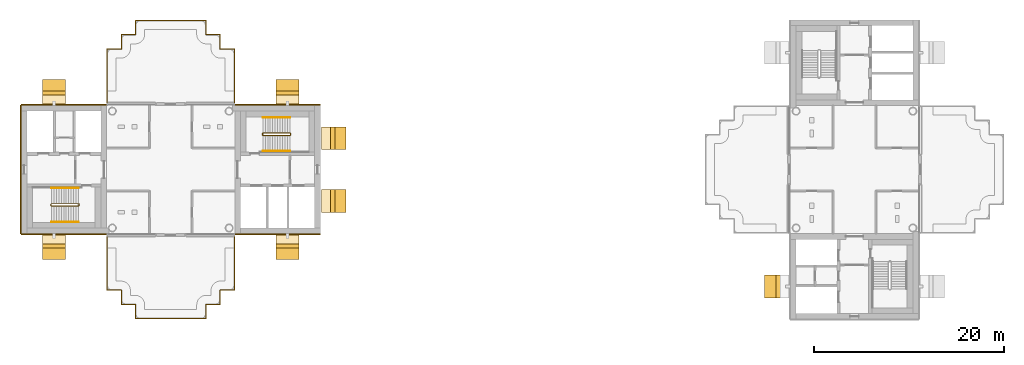
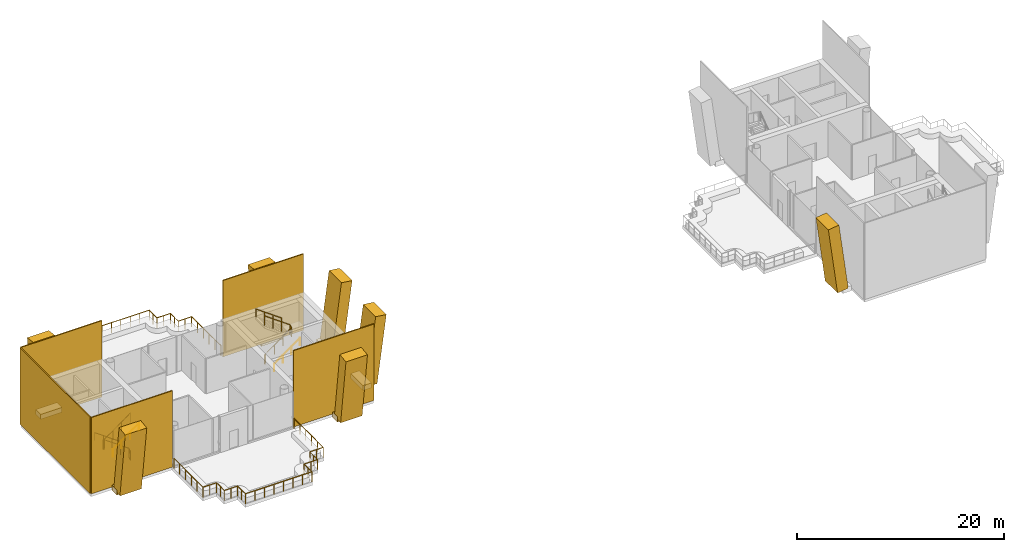
# One storey, part 15 of 17: 18 coverings, 8 railings.
"""IFC4 building model written with IfcOpenShell, lengths in metres."""

from ifc_helpers import new_model, si_unit, direction, frame, origin, origin_2d, place, context, subcontext, project, spatial, rectangle, circle, extrude, material, layer, layer_set, material_profile, profile_set, type_object, element, save


model = new_model("IFC4")

# Units and contexts
model_context = context("Model", 3, precision=1e-05, world=origin(), true_north=direction((0.0, 1.0)))
body_context = subcontext(model_context, "Body", "Model", "MODEL_VIEW")
ifc_project = project(units=[si_unit("LENGTHUNIT", "METRE"), si_unit("AREAUNIT", "SQUARE_METRE"), si_unit("VOLUMEUNIT", "CUBIC_METRE"), si_unit("PLANEANGLEUNIT", "RADIAN"), si_unit("MASSUNIT", "GRAM", prefix="KILO")], contexts=[model_context])

# Site, building, storey
site_placement = place(None, origin())
site = spatial("IfcSite", under=ifc_project, at=site_placement, CompositionType="ELEMENT")
building_placement = place(site_placement, origin())
building = spatial("IfcBuilding", under=site, at=building_placement, Name="Ipe Terrace Towers", CompositionType="ELEMENT")
storey_placement = place(building_placement, frame((0.0, 0.0, 246.89990234375)))
storey = spatial("IfcBuildingStorey", under=building, at=storey_placement, Name="L68", CompositionType="ELEMENT", Elevation=246.89990234375)

# Railings
ifc_material_1 = material(Name="Stainless steel S316", Category="steel")
railing_type_1 = type_object("IfcRailingType", Name="ROOF GUARD 1200", PredefinedType="BALUSTRADE", material=ifc_material_1)
railing_1_placement = place(storey_placement, frame((-42.699951171875, -7.070068359375, -0.02001953125)))
element("IfcRailing", 1, at=railing_1_placement, inside=storey, type_object=railing_type_1, Name="roof guard", PredefinedType="BALUSTRADE", context=body_context, shape_type="SweptSolid", body=[
    extrude(circle(Radius=0.02392578125, at=origin_2d()), frame((0.0, 0.0, 1.17578125), z_axis=(0.0, -1.0, 0.0), x_axis=(1.0, 0.0, 0.0)), (0.0, 0.0, 1.0), 5.6298828125),
    extrude(circle(Radius=0.02392578125, at=origin_2d()), frame((0.0, -5.6298828125, 1.17578125), z_axis=(1.0, 0.0, 0.0), x_axis=(0.0, 1.0, 0.0)), (0.0, 0.0, 1.0), 1.5),
    extrude(circle(Radius=0.02392578125, at=origin_2d()), frame((1.5, -5.6298828125, 1.17578125), z_axis=(0.0, -1.0, 0.0), x_axis=(1.0, 0.0, 0.0)), (0.0, 0.0, 1.0), 1.5),
    extrude(circle(Radius=0.02392578125, at=origin_2d()), frame((1.5, -7.1298828125, 1.17578125), z_axis=(1.0, 0.0, 0.0), x_axis=(0.0, 1.0, 0.0)), (0.0, 0.0, 1.0), 1.5),
    extrude(circle(Radius=0.02392578125, at=origin_2d()), frame((3.0, -7.1298828125, 1.17578125), z_axis=(0.0, -1.0, 0.0), x_axis=(1.0, 0.0, 0.0)), (0.0, 0.0, 1.0), 1.5),
    extrude(circle(Radius=0.02392578125, at=origin_2d()), frame((3.0, -8.6298828125, 1.17578125), z_axis=(1.0, 0.0, 0.0), x_axis=(0.0, 1.0, 0.0)), (0.0, 0.0, 1.0), 7.39990234375),
    extrude(circle(Radius=0.02392578125, at=origin_2d()), frame((10.39990234375, -8.6298828125, 1.17578125), z_axis=(0.0, 1.0, 0.0), x_axis=(-1.0, 0.0, 0.0)), (0.0, 0.0, 1.0), 1.5),
    extrude(circle(Radius=0.02392578125, at=origin_2d()), frame((10.39990234375, -7.1298828125, 1.17578125), z_axis=(1.0, 0.0, 0.0), x_axis=(0.0, 1.0, 0.0)), (0.0, 0.0, 1.0), 1.5),
    extrude(circle(Radius=0.02392578125, at=origin_2d()), frame((11.89990234375, -7.1298828125, 1.17578125), z_axis=(0.0, 1.0, 0.0), x_axis=(-1.0, 0.0, 0.0)), (0.0, 0.0, 1.0), 1.5),
    extrude(circle(Radius=0.02392578125, at=origin_2d()), frame((11.89990234375, -5.6298828125, 1.17578125), z_axis=(1.0, 0.0, 0.0), x_axis=(0.0, 1.0, 0.0)), (0.0, 0.0, 1.0), 1.5),
    extrude(circle(Radius=0.02392578125, at=origin_2d()), frame((13.39990234375, -5.6298828125, 1.17578125), z_axis=(0.0, 1.0, 0.0), x_axis=(-1.0, 0.0, 0.0)), (0.0, 0.0, 1.0), 5.6298828125),
    extrude(circle(Radius=0.02099609375, at=origin_2d()), origin(), (0.0, 0.0, 1.0), 1.15185546875),
    extrude(circle(Radius=0.02099609375, at=origin_2d()), frame((0.0, -1.1259765625, 0.0)), (0.0, 0.0, 1.0), 1.15185546875),
    extrude(circle(Radius=0.02099609375, at=origin_2d()), frame((0.0, -2.251953125, 0.0)), (0.0, 0.0, 1.0), 1.15185546875),
    extrude(circle(Radius=0.02099609375, at=origin_2d()), frame((0.0, -3.3779296875, 0.0)), (0.0, 0.0, 1.0), 1.15185546875),
    extrude(circle(Radius=0.02099609375, at=origin_2d()), frame((0.0, -4.50390625, 0.0)), (0.0, 0.0, 1.0), 1.15185546875),
    extrude(circle(Radius=0.02099609375, at=origin_2d()), frame((0.0, -5.6298828125, 0.0)), (0.0, 0.0, 1.0), 1.15185546875),
    extrude(circle(Radius=0.02099609375, at=origin_2d()), frame((0.75, -5.6298828125, 0.0)), (0.0, 0.0, 1.0), 1.15185546875),
    extrude(circle(Radius=0.02099609375, at=origin_2d()), frame((1.5, -5.6298828125, 0.0)), (0.0, 0.0, 1.0), 1.15185546875),
    extrude(circle(Radius=0.02099609375, at=origin_2d()), frame((1.5, -6.3798828125, 0.0)), (0.0, 0.0, 1.0), 1.15185546875),
    extrude(circle(Radius=0.02099609375, at=origin_2d()), frame((1.5, -7.1298828125, 0.0)), (0.0, 0.0, 1.0), 1.15185546875),
    extrude(circle(Radius=0.02099609375, at=origin_2d()), frame((2.25, -7.1298828125, 0.0)), (0.0, 0.0, 1.0), 1.15185546875),
    extrude(circle(Radius=0.02099609375, at=origin_2d()), frame((3.0, -7.1298828125, 0.0)), (0.0, 0.0, 1.0), 1.15185546875),
    extrude(circle(Radius=0.02099609375, at=origin_2d()), frame((3.0, -7.8798828125, 0.0)), (0.0, 0.0, 1.0), 1.15185546875),
    extrude(circle(Radius=0.02099609375, at=origin_2d()), frame((3.0, -8.6298828125, 0.0)), (0.0, 0.0, 1.0), 1.15185546875),
    extrude(circle(Radius=0.02099609375, at=origin_2d()), frame((4.05712890625, -8.6298828125, 0.0)), (0.0, 0.0, 1.0), 1.15185546875),
    extrude(circle(Radius=0.02099609375, at=origin_2d()), frame((5.1142578125, -8.6298828125, 0.0)), (0.0, 0.0, 1.0), 1.15185546875),
    extrude(circle(Radius=0.02099609375, at=origin_2d()), frame((6.17138671875, -8.6298828125, 0.0)), (0.0, 0.0, 1.0), 1.15185546875),
    extrude(circle(Radius=0.02099609375, at=origin_2d()), frame((7.228515625, -8.6298828125, 0.0)), (0.0, 0.0, 1.0), 1.15185546875),
    extrude(circle(Radius=0.02099609375, at=origin_2d()), frame((8.28564453125, -8.6298828125, 0.0)), (0.0, 0.0, 1.0), 1.15185546875),
    extrude(circle(Radius=0.02099609375, at=origin_2d()), frame((9.3427734375, -8.6298828125, 0.0)), (0.0, 0.0, 1.0), 1.15185546875),
    extrude(circle(Radius=0.02099609375, at=origin_2d()), frame((10.39990234375, -8.6298828125, 0.0)), (0.0, 0.0, 1.0), 1.15185546875),
    extrude(circle(Radius=0.02099609375, at=origin_2d()), frame((10.39990234375, -7.8798828125, 0.0)), (0.0, 0.0, 1.0), 1.15185546875),
    extrude(circle(Radius=0.02099609375, at=origin_2d()), frame((10.39990234375, -7.1298828125, 0.0)), (0.0, 0.0, 1.0), 1.15185546875),
    extrude(circle(Radius=0.02099609375, at=origin_2d()), frame((11.14990234375, -7.1298828125, 0.0)), (0.0, 0.0, 1.0), 1.15185546875),
    extrude(circle(Radius=0.02099609375, at=origin_2d()), frame((11.89990234375, -7.1298828125, 0.0)), (0.0, 0.0, 1.0), 1.15185546875),
    extrude(circle(Radius=0.02099609375, at=origin_2d()), frame((11.89990234375, -6.3798828125, 0.0)), (0.0, 0.0, 1.0), 1.15185546875),
    extrude(circle(Radius=0.02099609375, at=origin_2d()), frame((11.89990234375, -5.6298828125, 0.0)), (0.0, 0.0, 1.0), 1.15185546875),
    extrude(circle(Radius=0.02099609375, at=origin_2d()), frame((12.64990234375, -5.6298828125, 0.0)), (0.0, 0.0, 1.0), 1.15185546875),
    extrude(circle(Radius=0.02099609375, at=origin_2d()), frame((13.39990234375, -5.6298828125, 0.0)), (0.0, 0.0, 1.0), 1.15185546875),
    extrude(circle(Radius=0.02099609375, at=origin_2d()), frame((13.39990234375, -4.50390625, 0.0)), (0.0, 0.0, 1.0), 1.15185546875),
    extrude(circle(Radius=0.02099609375, at=origin_2d()), frame((13.39990234375, -3.3779296875, 0.0)), (0.0, 0.0, 1.0), 1.15185546875),
    extrude(circle(Radius=0.02099609375, at=origin_2d()), frame((13.39990234375, -2.251953125, 0.0)), (0.0, 0.0, 1.0), 1.15185546875),
    extrude(circle(Radius=0.02099609375, at=origin_2d()), frame((13.39990234375, -1.1259765625, 0.0)), (0.0, 0.0, 1.0), 1.15185546875),
    extrude(circle(Radius=0.02099609375, at=origin_2d()), frame((13.39990234375, 0.0, 0.0)), (0.0, 0.0, 1.0), 1.15185546875),
])
railing_2_placement = place(storey_placement, frame((-29.300048828125, 7.070068359375, -0.02001953125)))
element("IfcRailing", 2, at=railing_2_placement, inside=storey, type_object=railing_type_1, Name="roof guard", PredefinedType="BALUSTRADE", context=body_context, shape_type="SweptSolid", body=[
    extrude(circle(Radius=0.02392578125, at=origin_2d()), frame((0.0, 0.0, 1.17578125), z_axis=(0.0, 1.0, 0.0), x_axis=(-1.0, 0.0, 0.0)), (0.0, 0.0, 1.0), 5.6298828125),
    extrude(circle(Radius=0.02392578125, at=origin_2d()), frame((0.0, 5.6298828125, 1.17578125), z_axis=(-1.0, 0.0, 0.0), x_axis=(0.0, -1.0, 0.0)), (0.0, 0.0, 1.0), 1.5),
    extrude(circle(Radius=0.02392578125, at=origin_2d()), frame((-1.5, 5.6298828125, 1.17578125), z_axis=(0.0, 1.0, 0.0), x_axis=(-1.0, 0.0, 0.0)), (0.0, 0.0, 1.0), 1.5),
    extrude(circle(Radius=0.02392578125, at=origin_2d()), frame((-1.5, 7.1298828125, 1.17578125), z_axis=(-1.0, 0.0, 0.0), x_axis=(0.0, -1.0, 0.0)), (0.0, 0.0, 1.0), 1.5),
    extrude(circle(Radius=0.02392578125, at=origin_2d()), frame((-3.0, 7.1298828125, 1.17578125), z_axis=(0.0, 1.0, 0.0), x_axis=(-1.0, 0.0, 0.0)), (0.0, 0.0, 1.0), 1.5),
    extrude(circle(Radius=0.02392578125, at=origin_2d()), frame((-3.0, 8.6298828125, 1.17578125), z_axis=(-1.0, 0.0, 0.0), x_axis=(0.0, -1.0, 0.0)), (0.0, 0.0, 1.0), 7.39990234375),
    extrude(circle(Radius=0.02392578125, at=origin_2d()), frame((-10.39990234375, 8.6298828125, 1.17578125), z_axis=(0.0, -1.0, 0.0), x_axis=(1.0, 0.0, 0.0)), (0.0, 0.0, 1.0), 1.5),
    extrude(circle(Radius=0.02392578125, at=origin_2d()), frame((-10.39990234375, 7.1298828125, 1.17578125), z_axis=(-1.0, 0.0, 0.0), x_axis=(0.0, -1.0, 0.0)), (0.0, 0.0, 1.0), 1.5),
    extrude(circle(Radius=0.02392578125, at=origin_2d()), frame((-11.89990234375, 7.1298828125, 1.17578125), z_axis=(0.0, -1.0, 0.0), x_axis=(1.0, 0.0, 0.0)), (0.0, 0.0, 1.0), 1.5),
    extrude(circle(Radius=0.02392578125, at=origin_2d()), frame((-11.89990234375, 5.6298828125, 1.17578125), z_axis=(-1.0, 0.0, 0.0), x_axis=(0.0, -1.0, 0.0)), (0.0, 0.0, 1.0), 1.5),
    extrude(circle(Radius=0.02392578125, at=origin_2d()), frame((-13.39990234375, 5.6298828125, 1.17578125), z_axis=(0.0, -1.0, 0.0), x_axis=(1.0, 0.0, 0.0)), (0.0, 0.0, 1.0), 5.6298828125),
    extrude(circle(Radius=0.02099609375, at=origin_2d()), origin(), (0.0, 0.0, 1.0), 1.15185546875),
    extrude(circle(Radius=0.02099609375, at=origin_2d()), frame((0.0, 1.1259765625, 0.0)), (0.0, 0.0, 1.0), 1.15185546875),
    extrude(circle(Radius=0.02099609375, at=origin_2d()), frame((0.0, 2.251953125, 0.0)), (0.0, 0.0, 1.0), 1.15185546875),
    extrude(circle(Radius=0.02099609375, at=origin_2d()), frame((0.0, 3.3779296875, 0.0)), (0.0, 0.0, 1.0), 1.15185546875),
    extrude(circle(Radius=0.02099609375, at=origin_2d()), frame((0.0, 4.50390625, 0.0)), (0.0, 0.0, 1.0), 1.15185546875),
    extrude(circle(Radius=0.02099609375, at=origin_2d()), frame((0.0, 5.6298828125, 0.0)), (0.0, 0.0, 1.0), 1.15185546875),
    extrude(circle(Radius=0.02099609375, at=origin_2d()), frame((-0.75, 5.6298828125, 0.0)), (0.0, 0.0, 1.0), 1.15185546875),
    extrude(circle(Radius=0.02099609375, at=origin_2d()), frame((-1.5, 5.6298828125, 0.0)), (0.0, 0.0, 1.0), 1.15185546875),
    extrude(circle(Radius=0.02099609375, at=origin_2d()), frame((-1.5, 6.3798828125, 0.0)), (0.0, 0.0, 1.0), 1.15185546875),
    extrude(circle(Radius=0.02099609375, at=origin_2d()), frame((-1.5, 7.1298828125, 0.0)), (0.0, 0.0, 1.0), 1.15185546875),
    extrude(circle(Radius=0.02099609375, at=origin_2d()), frame((-2.25, 7.1298828125, 0.0)), (0.0, 0.0, 1.0), 1.15185546875),
    extrude(circle(Radius=0.02099609375, at=origin_2d()), frame((-3.0, 7.1298828125, 0.0)), (0.0, 0.0, 1.0), 1.15185546875),
    extrude(circle(Radius=0.02099609375, at=origin_2d()), frame((-3.0, 7.8798828125, 0.0)), (0.0, 0.0, 1.0), 1.15185546875),
    extrude(circle(Radius=0.02099609375, at=origin_2d()), frame((-3.0, 8.6298828125, 0.0)), (0.0, 0.0, 1.0), 1.15185546875),
    extrude(circle(Radius=0.02099609375, at=origin_2d()), frame((-4.05712890625, 8.6298828125, 0.0)), (0.0, 0.0, 1.0), 1.15185546875),
    extrude(circle(Radius=0.02099609375, at=origin_2d()), frame((-5.1142578125, 8.6298828125, 0.0)), (0.0, 0.0, 1.0), 1.15185546875),
    extrude(circle(Radius=0.02099609375, at=origin_2d()), frame((-6.17138671875, 8.6298828125, 0.0)), (0.0, 0.0, 1.0), 1.15185546875),
    extrude(circle(Radius=0.02099609375, at=origin_2d()), frame((-7.228515625, 8.6298828125, 0.0)), (0.0, 0.0, 1.0), 1.15185546875),
    extrude(circle(Radius=0.02099609375, at=origin_2d()), frame((-8.28564453125, 8.6298828125, 0.0)), (0.0, 0.0, 1.0), 1.15185546875),
    extrude(circle(Radius=0.02099609375, at=origin_2d()), frame((-9.3427734375, 8.6298828125, 0.0)), (0.0, 0.0, 1.0), 1.15185546875),
    extrude(circle(Radius=0.02099609375, at=origin_2d()), frame((-10.39990234375, 8.6298828125, 0.0)), (0.0, 0.0, 1.0), 1.15185546875),
    extrude(circle(Radius=0.02099609375, at=origin_2d()), frame((-10.39990234375, 7.8798828125, 0.0)), (0.0, 0.0, 1.0), 1.15185546875),
    extrude(circle(Radius=0.02099609375, at=origin_2d()), frame((-10.39990234375, 7.1298828125, 0.0)), (0.0, 0.0, 1.0), 1.15185546875),
    extrude(circle(Radius=0.02099609375, at=origin_2d()), frame((-11.14990234375, 7.1298828125, 0.0)), (0.0, 0.0, 1.0), 1.15185546875),
    extrude(circle(Radius=0.02099609375, at=origin_2d()), frame((-11.89990234375, 7.1298828125, 0.0)), (0.0, 0.0, 1.0), 1.15185546875),
    extrude(circle(Radius=0.02099609375, at=origin_2d()), frame((-11.89990234375, 6.3798828125, 0.0)), (0.0, 0.0, 1.0), 1.15185546875),
    extrude(circle(Radius=0.02099609375, at=origin_2d()), frame((-11.89990234375, 5.6298828125, 0.0)), (0.0, 0.0, 1.0), 1.15185546875),
    extrude(circle(Radius=0.02099609375, at=origin_2d()), frame((-12.64990234375, 5.6298828125, 0.0)), (0.0, 0.0, 1.0), 1.15185546875),
    extrude(circle(Radius=0.02099609375, at=origin_2d()), frame((-13.39990234375, 5.6298828125, 0.0)), (0.0, 0.0, 1.0), 1.15185546875),
    extrude(circle(Radius=0.02099609375, at=origin_2d()), frame((-13.39990234375, 4.50390625, 0.0)), (0.0, 0.0, 1.0), 1.15185546875),
    extrude(circle(Radius=0.02099609375, at=origin_2d()), frame((-13.39990234375, 3.3779296875, 0.0)), (0.0, 0.0, 1.0), 1.15185546875),
    extrude(circle(Radius=0.02099609375, at=origin_2d()), frame((-13.39990234375, 2.251953125, 0.0)), (0.0, 0.0, 1.0), 1.15185546875),
    extrude(circle(Radius=0.02099609375, at=origin_2d()), frame((-13.39990234375, 1.1259765625, 0.0)), (0.0, 0.0, 1.0), 1.15185546875),
    extrude(circle(Radius=0.02099609375, at=origin_2d()), frame((-13.39990234375, 0.0, 0.0)), (0.0, 0.0, 1.0), 1.15185546875),
])

# Coverings
ifc_material_2 = material(Name="Concrete C50/60 precast, buff finish", Category="concrete")
ifc_layer = layer(ifc_material_2, 0.1201171875)
ifc_layer_set = layer_set([ifc_layer], Name="STONE CORE CLADDING 120")
covering_type_1 = type_object("IfcCoveringType", Name="STONE CORE CLADDING 120", PredefinedType="CLADDING", material=ifc_layer_set)
covering_1_placement = place(storey_placement, frame((-47.2490234375, -6.81005859375, 0.0), z_axis=(0.0, 0.0, 1.0), x_axis=(1.0, 0.0, 0.0)))
element("IfcCovering", 3, at=covering_1_placement, inside=storey, type_object=covering_type_1, Name="stone core cladding", PredefinedType="CLADDING", context=body_context, shape_type="SweptSolid", body=[
    extrude(rectangle(XDim=9.0009765625, YDim=0.1201171875, at=origin_2d()), origin(), (0.0, 0.0, 1.0), 9.0),
])
covering_2_placement = place(storey_placement, frame((-51.81005859375, 0.0, 0.0), z_axis=(0.0, 0.0, 1.0), x_axis=(0.0, -1.0, 0.0)))
element("IfcCovering", 4, at=covering_2_placement, inside=storey, type_object=covering_type_1, Name="stone core cladding", PredefinedType="CLADDING", context=body_context, shape_type="SweptSolid", body=[
    extrude(rectangle(XDim=13.5, YDim=0.1201171875, at=origin_2d()), origin(), (0.0, 0.0, 1.0), 9.0),
])
for number, where, z_axis, x_axis, name in (
    (5, (-47.2490234375, 6.81005859375, 0.0), (0.0, 0.0, 1.0), (-1.0, 0.0, 0.0), "stone core cladding"),
    (6, (-24.7509765625, -6.81005859375, 0.0), (0.0, 0.0, 1.0), (1.0, 0.0, 0.0), "stone core cladding"),
    (7, (-24.7509765625, 6.81005859375, 0.0), (0.0, 0.0, 1.0), (-1.0, 0.0, 0.0), "stone core cladding"),
):
    element("IfcCovering", number, at=place(storey_placement, frame(where, z_axis=z_axis, x_axis=x_axis)), inside=storey, type_object=covering_type_1, Name=name, PredefinedType="CLADDING", context=body_context, shape_type="SweptSolid", body=[
        extrude(rectangle(XDim=9.0009765625, YDim=0.1201171875, at=origin_2d()), origin(), (0.0, 0.0, 1.0), 9.0),
    ])
ifc_material_3 = material(Name="Concrete C50/60 precast, buff finish", Category="concrete")
ifc_material_profile = material_profile(ifc_material_3, rectangle(XDim=2.39990234375, YDim=1.199951171875, at=origin_2d()), Name="STONE FIN 2400 x 1200")
ifc_profile_set = profile_set([ifc_material_profile], Name="Concrete C50/60 precast, buff finish")
covering_type_2 = type_object("IfcCoveringType", Name="STONE FIN 2400 x 1200", PredefinedType="USERDEFINED", material=ifc_profile_set)
for number, where, z_axis, x_axis, name in (
    (8, (-19.160888671875, -3.300048828125, 0.0), (0.131039644898, 0.0, 0.991377128779), (0.0, 1.0, 0.0), "stone fin"),
    (9, (-19.160888671875, 3.300048828125, 0.0), (0.131039644898, 0.0, 0.991377128779), (0.0, 1.0, 0.0), "stone fin"),
    (10, (-23.699951171875, -7.839111328125, 0.0), (0.0, -0.131039644898, 0.991377128779), (1.0, 0.0, 0.0), "stone fin"),
    (11, (-23.699951171875, 7.839111328125, 0.0), (0.0, 0.131039644898, 0.991377128779), (-1.0, 0.0, 0.0), "stone fin"),
    (12, (-48.300048828125, -7.839111328125, 0.0), (0.0, -0.131039644898, 0.991377128779), (1.0, 0.0, 0.0), "stone fin"),
    (13, (-48.300048828125, 7.839111328125, 0.0), (0.0, 0.131039644898, 0.991377128779), (-1.0, 0.0, 0.0), "stone fin"),
    (14, (28.160888671875, -12.300048828125, 0.0), (-0.131039644898, 0.0, 0.991377128779), (0.0, -1.0, 0.0), "stone fin"),
):
    element("IfcCovering", number, at=place(storey_placement, frame(where, z_axis=z_axis, x_axis=x_axis)), inside=storey, type_object=covering_type_2, Name=name, ObjectType="FIN", PredefinedType="USERDEFINED", context=body_context, shape_type="SweptSolid", body=[
        extrude(rectangle(XDim=2.39990234375, YDim=1.199951171875, at=origin_2d()), origin(), (0.0, 0.0, 1.0), 7.867919921875),
    ])
ifc_material_4 = material(Name="Concrete C50/60 precast, buff finish", Category="concrete")
covering_type_3 = type_object("IfcCoveringType", Name="STONE FIN SHELF 2400 x 600", PredefinedType="CLADDING", material=ifc_material_4)
for number, where, z_axis, x_axis, name in (
    (15, (-19.65087890625, -3.300048828125, -0.349853515625), (0.0, 0.0, 1.0), (0.0, 1.0, 0.0), "stone fin shelf"),
    (16, (-19.65087890625, 3.300048828125, -0.349853515625), (0.0, 0.0, 1.0), (0.0, 1.0, 0.0), "stone fin shelf"),
    (17, (-23.699951171875, -7.34912109375, -0.349853515625), (0.0, 0.0, 1.0), (1.0, 0.0, 0.0), "stone fin shelf"),
    (18, (-23.699951171875, 7.34912109375, -0.349853515625), (0.0, 0.0, 1.0), (-1.0, 0.0, 0.0), "stone fin shelf"),
    (19, (-48.300048828125, -7.34912109375, -0.349853515625), (0.0, 0.0, 1.0), (1.0, 0.0, 0.0), "stone fin shelf"),
    (20, (-48.300048828125, 7.34912109375, -0.349853515625), (0.0, 0.0, 1.0), (-1.0, 0.0, 0.0), "stone fin shelf"),
):
    element("IfcCovering", number, at=place(storey_placement, frame(where, z_axis=z_axis, x_axis=x_axis)), inside=storey, type_object=covering_type_3, Name=name, PredefinedType="CLADDING", context=body_context, shape_type="SweptSolid", body=[
        extrude(rectangle(XDim=2.39990234375, YDim=0.97900390625, at=origin_2d()), origin(), (0.0, 0.0, 1.0), 0.60009765625),
    ])

# Railings
ifc_material_5 = material(Name="Steel S355", Category="steel")
railing_type_2 = type_object("IfcRailingType", Name="Stair guard 1100", PredefinedType="GUARDRAIL", material=ifc_material_5)
railing_3_placement = place(storey_placement, frame((-26.35009765625, 3.800048828125, 0.0)))
element("IfcRailing", 21, at=railing_3_placement, inside=storey, type_object=railing_type_2, Name="L68 T1-ST1 stair guard 1", PredefinedType="GUARDRAIL", context=body_context, shape_type="SweptSolid", body=[
    extrude(circle(Radius=0.02392578125, at=origin_2d()), frame((0.0, 0.0, 1.076171875), z_axis=(0.0, -1.0, 0.0), x_axis=(1.0, 0.0, 0.0)), (0.0, 0.0, 1.0), 0.150146484375),
    extrude(circle(Radius=0.02392578125, at=origin_2d()), frame((0.0, -0.150146484375, 1.076171875), z_axis=(0.249802250048, -0.248583702486, 0.935844527007), x_axis=(0.705375805398, 0.708833529934, 0.0)), (0.0, 0.0, 1.0), 0.200439453125),
    extrude(circle(Radius=0.02392578125, at=origin_2d()), frame((0.050048828125, -0.199951171875, 1.263671875), z_axis=(0.811100754333, 0.0, 0.584906459462), x_axis=(0.0, 1.0, 0.0)), (0.0, 0.0, 1.0), 3.526123046875),
    extrude(circle(Radius=0.02392578125, at=origin_2d()), frame((2.91015625, -0.199951171875, 3.326171875), z_axis=(0.708833529934, 0.705375805398, 0.0), x_axis=(-0.705375805398, 0.708833529934, 0.0)), (0.0, 0.0, 1.0), 0.070556640625),
    extrude(circle(Radius=0.02392578125, at=origin_2d()), frame((2.960205078125, -0.150146484375, 3.326171875), z_axis=(0.0, 1.0, 0.0), x_axis=(-1.0, 0.0, 0.0)), (0.0, 0.0, 1.0), 0.150146484375),
    extrude(circle(Radius=0.02392578125, at=origin_2d()), frame((2.960205078125, 0.0, 3.326171875), z_axis=(-0.249726431254, 0.249726431254, 0.935560483917), x_axis=(-0.707106781187, -0.707106781187, 0.0)), (0.0, 0.0, 1.0), 0.200439453125),
    extrude(circle(Radius=0.02392578125, at=origin_2d()), frame((2.91015625, 0.050048828125, 3.513671875), z_axis=(-0.811100754333, 0.0, 0.584906459462), x_axis=(0.0, -1.0, 0.0)), (0.0, 0.0, 1.0), 3.526123046875),
    extrude(circle(Radius=0.02099609375, at=origin_2d()), origin(), (0.0, 0.0, 1.0), 1.052001953125),
    extrude(circle(Radius=0.02099609375, at=origin_2d()), frame((0.0, -0.150146484375, 0.0)), (0.0, 0.0, 1.0), 1.052001953125),
    extrude(circle(Radius=0.02099609375, at=origin_2d()), frame((0.050048828125, -0.199951171875, 0.1875)), (0.0, 0.0, 1.0), 1.052001953125),
    extrude(circle(Radius=0.02099609375, at=origin_2d()), frame((1.00341796875, -0.199951171875, 0.875)), (0.0, 0.0, 1.0), 1.052001953125),
    extrude(circle(Radius=0.02099609375, at=origin_2d()), frame((1.956787109375, -0.199951171875, 1.5625)), (0.0, 0.0, 1.0), 1.052001953125),
    extrude(circle(Radius=0.02099609375, at=origin_2d()), frame((2.91015625, -0.199951171875, 2.25)), (0.0, 0.0, 1.0), 1.052001953125),
    extrude(circle(Radius=0.02099609375, at=origin_2d()), frame((2.960205078125, -0.150146484375, 2.25)), (0.0, 0.0, 1.0), 1.052001953125),
    extrude(circle(Radius=0.02099609375, at=origin_2d()), frame((2.960205078125, 0.0, 2.25)), (0.0, 0.0, 1.0), 1.052001953125),
    extrude(circle(Radius=0.02099609375, at=origin_2d()), frame((2.91015625, 0.050048828125, 2.4375)), (0.0, 0.0, 1.0), 1.052001953125),
    extrude(circle(Radius=0.02099609375, at=origin_2d()), frame((1.956787109375, 0.050048828125, 3.125)), (0.0, 0.0, 1.0), 1.052001953125),
    extrude(circle(Radius=0.02099609375, at=origin_2d()), frame((1.00341796875, 0.050048828125, 3.8125)), (0.0, 0.0, 1.0), 1.052001953125),
    extrude(circle(Radius=0.02099609375, at=origin_2d()), frame((0.050048828125, 0.050048828125, 4.5)), (0.0, 0.0, 1.0), 1.052001953125),
])
railing_4_placement = place(storey_placement, frame((-45.64990234375, -3.800048828125, 0.0)))
element("IfcRailing", 22, at=railing_4_placement, inside=storey, type_object=railing_type_2, Name="L68 T1-ST2 stair guard 1", PredefinedType="GUARDRAIL", context=body_context, shape_type="SweptSolid", body=[
    extrude(circle(Radius=0.02392578125, at=origin_2d()), frame((0.0, 0.0, 1.076171875), z_axis=(0.0, 1.0, 0.0), x_axis=(-1.0, 0.0, 0.0)), (0.0, 0.0, 1.0), 0.150146484375),
    extrude(circle(Radius=0.02392578125, at=origin_2d()), frame((0.0, 0.150146484375, 1.076171875), z_axis=(-0.249802250048, 0.248583702486, 0.935844527007), x_axis=(-0.705375805398, -0.708833529934, 0.0)), (0.0, 0.0, 1.0), 0.200439453125),
    extrude(circle(Radius=0.02392578125, at=origin_2d()), frame((-0.050048828125, 0.199951171875, 1.263671875), z_axis=(-0.811100754333, 0.0, 0.584906459462), x_axis=(0.0, -1.0, 0.0)), (0.0, 0.0, 1.0), 3.526123046875),
    extrude(circle(Radius=0.02392578125, at=origin_2d()), frame((-2.91015625, 0.199951171875, 3.326171875), z_axis=(-0.708833529934, -0.705375805398, 0.0), x_axis=(0.705375805398, -0.708833529934, 0.0)), (0.0, 0.0, 1.0), 0.070556640625),
    extrude(circle(Radius=0.02392578125, at=origin_2d()), frame((-2.960205078125, 0.150146484375, 3.326171875), z_axis=(0.0, -1.0, 0.0), x_axis=(1.0, 0.0, 0.0)), (0.0, 0.0, 1.0), 0.150146484375),
    extrude(circle(Radius=0.02392578125, at=origin_2d()), frame((-2.960205078125, 0.0, 3.326171875), z_axis=(0.249726431254, -0.249726431254, 0.935560483917), x_axis=(0.707106781187, 0.707106781187, 0.0)), (0.0, 0.0, 1.0), 0.200439453125),
    extrude(circle(Radius=0.02392578125, at=origin_2d()), frame((-2.91015625, -0.050048828125, 3.513671875), z_axis=(0.811100754333, 0.0, 0.584906459462), x_axis=(0.0, 1.0, 0.0)), (0.0, 0.0, 1.0), 3.526123046875),
    extrude(circle(Radius=0.02099609375, at=origin_2d()), origin(), (0.0, 0.0, 1.0), 1.052001953125),
    extrude(circle(Radius=0.02099609375, at=origin_2d()), frame((0.0, 0.150146484375, 0.0)), (0.0, 0.0, 1.0), 1.052001953125),
    extrude(circle(Radius=0.02099609375, at=origin_2d()), frame((-0.050048828125, 0.199951171875, 0.1875)), (0.0, 0.0, 1.0), 1.052001953125),
    extrude(circle(Radius=0.02099609375, at=origin_2d()), frame((-1.00341796875, 0.199951171875, 0.875)), (0.0, 0.0, 1.0), 1.052001953125),
    extrude(circle(Radius=0.02099609375, at=origin_2d()), frame((-1.956787109375, 0.199951171875, 1.5625)), (0.0, 0.0, 1.0), 1.052001953125),
    extrude(circle(Radius=0.02099609375, at=origin_2d()), frame((-2.91015625, 0.199951171875, 2.25)), (0.0, 0.0, 1.0), 1.052001953125),
    extrude(circle(Radius=0.02099609375, at=origin_2d()), frame((-2.960205078125, 0.150146484375, 2.25)), (0.0, 0.0, 1.0), 1.052001953125),
    extrude(circle(Radius=0.02099609375, at=origin_2d()), frame((-2.960205078125, 0.0, 2.25)), (0.0, 0.0, 1.0), 1.052001953125),
    extrude(circle(Radius=0.02099609375, at=origin_2d()), frame((-2.91015625, -0.050048828125, 2.4375)), (0.0, 0.0, 1.0), 1.052001953125),
    extrude(circle(Radius=0.02099609375, at=origin_2d()), frame((-1.956787109375, -0.050048828125, 3.125)), (0.0, 0.0, 1.0), 1.052001953125),
    extrude(circle(Radius=0.02099609375, at=origin_2d()), frame((-1.00341796875, -0.050048828125, 3.8125)), (0.0, 0.0, 1.0), 1.052001953125),
    extrude(circle(Radius=0.02099609375, at=origin_2d()), frame((-0.050048828125, -0.050048828125, 4.5)), (0.0, 0.0, 1.0), 1.052001953125),
])
ifc_material_6 = material(Name="Stainless steel grade 304", Category="steel")
railing_type_3 = type_object("IfcRailingType", Name="Stair handrail 900", PredefinedType="HANDRAIL", material=ifc_material_6)
railing_5_placement = place(storey_placement, frame((-26.300048828125, 1.949951171875, 0.1875)))
element("IfcRailing", 23, at=railing_5_placement, inside=storey, type_object=railing_type_3, Name="L68 T1-ST1 stair handrail 1", PredefinedType="HANDRAIL", context=body_context, shape_type="SweptSolid", body=[
    extrude(circle(Radius=0.02392578125, at=origin_2d()), frame((0.0, 0.0, 0.8759765625), z_axis=(0.811100754333, 0.0, 0.584906459462), x_axis=(0.0, 1.0, 0.0)), (0.0, 0.0, 1.0), 3.526123046875),
    extrude(circle(Radius=0.02099609375, at=origin_2d()), origin(), (0.0, 0.0, 1.0), 0.851806640625),
    extrude(circle(Radius=0.02099609375, at=origin_2d()), frame((0.953369140625, 0.0, 0.6875)), (0.0, 0.0, 1.0), 0.851806640625),
    extrude(circle(Radius=0.02099609375, at=origin_2d()), frame((1.90673828125, 0.0, 1.375)), (0.0, 0.0, 1.0), 0.851806640625),
    extrude(circle(Radius=0.02099609375, at=origin_2d()), frame((2.860107421875, 0.0, 2.0625)), (0.0, 0.0, 1.0), 0.851806640625),
])
for number, where, name in (
    (24, (-23.43994140625, 5.5, 2.4375), "L68 T1-ST1 stair handrail 2"),
    (25, (-45.699951171875, -1.949951171875, 0.1875), "L68 T1-ST2 stair handrail 1"),
):
    element("IfcRailing", number, at=place(storey_placement, frame(where)), inside=storey, type_object=railing_type_3, Name=name, PredefinedType="HANDRAIL", context=body_context, shape_type="SweptSolid", body=[
        extrude(circle(Radius=0.02392578125, at=origin_2d()), frame((0.0, 0.0, 0.8759765625), z_axis=(-0.811100754333, 0.0, 0.584906459462), x_axis=(0.0, -1.0, 0.0)), (0.0, 0.0, 1.0), 3.526123046875),
        extrude(circle(Radius=0.02099609375, at=origin_2d()), origin(), (0.0, 0.0, 1.0), 0.851806640625),
        extrude(circle(Radius=0.02099609375, at=origin_2d()), frame((-0.953369140625, 0.0, 0.6875)), (0.0, 0.0, 1.0), 0.851806640625),
        extrude(circle(Radius=0.02099609375, at=origin_2d()), frame((-1.90673828125, 0.0, 1.375)), (0.0, 0.0, 1.0), 0.851806640625),
        extrude(circle(Radius=0.02099609375, at=origin_2d()), frame((-2.860107421875, 0.0, 2.0625)), (0.0, 0.0, 1.0), 0.851806640625),
    ])
railing_6_placement = place(storey_placement, frame((-48.56005859375, -5.5, 2.4375)))
element("IfcRailing", 26, at=railing_6_placement, inside=storey, type_object=railing_type_3, Name="L68 T1-ST2 stair handrail 2", PredefinedType="HANDRAIL", context=body_context, shape_type="SweptSolid", body=[
    extrude(circle(Radius=0.02392578125, at=origin_2d()), frame((0.0, 0.0, 0.8759765625), z_axis=(0.811100754333, 0.0, 0.584906459462), x_axis=(0.0, 1.0, 0.0)), (0.0, 0.0, 1.0), 3.526123046875),
    extrude(circle(Radius=0.02099609375, at=origin_2d()), origin(), (0.0, 0.0, 1.0), 0.851806640625),
    extrude(circle(Radius=0.02099609375, at=origin_2d()), frame((0.953369140625, 0.0, 0.6875)), (0.0, 0.0, 1.0), 0.851806640625),
    extrude(circle(Radius=0.02099609375, at=origin_2d()), frame((1.90673828125, 0.0, 1.375)), (0.0, 0.0, 1.0), 0.851806640625),
    extrude(circle(Radius=0.02099609375, at=origin_2d()), frame((2.860107421875, 0.0, 2.0625)), (0.0, 0.0, 1.0), 0.851806640625),
])

save(model, "model.ifc")
